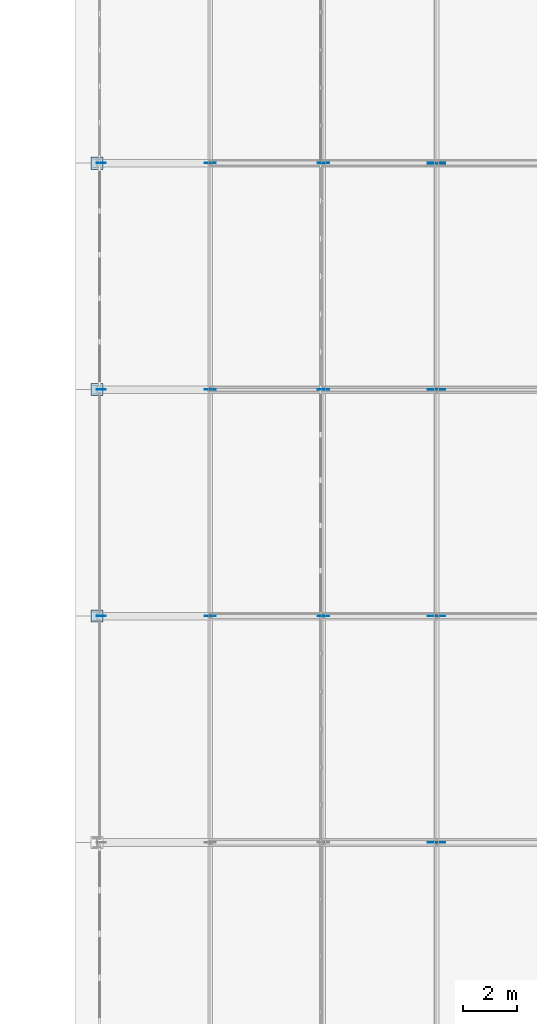
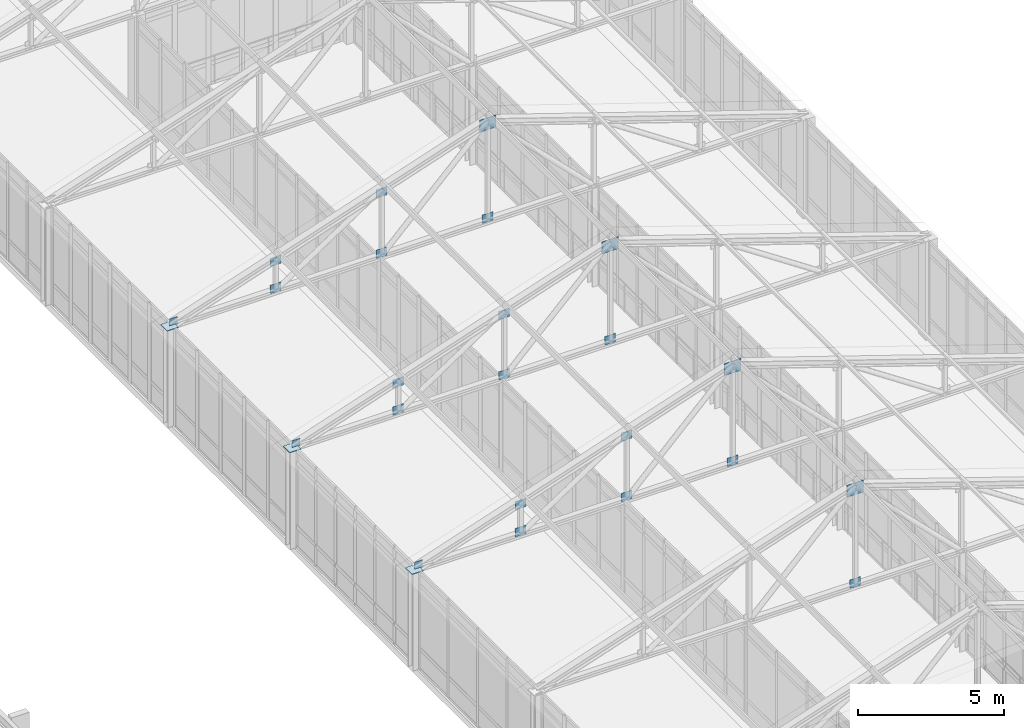
# One storey, part 143 of 192: 26 plates.
"""IFC4 building model written with IfcOpenShell, lengths in metres."""

from ifc_helpers import new_model, si_unit, direction, frame, origin, origin_2d, place, context, subcontext, project, spatial, rectangle, extrude, material, layer, layer_set, type_object, element, save


model = new_model("IFC4")

# Units and contexts
model_context = context("Model", 3, precision=1e-05, world=origin(), true_north=direction((0.0, 1.0)))
body_context = subcontext(model_context, "Body", "Model", "MODEL_VIEW")
ifc_project = project(units=[si_unit("LENGTHUNIT", "METRE"), si_unit("AREAUNIT", "SQUARE_METRE"), si_unit("VOLUMEUNIT", "CUBIC_METRE"), si_unit("PLANEANGLEUNIT", "RADIAN"), si_unit("MASSUNIT", "GRAM", prefix="KILO")], contexts=[model_context])

# Site, building, storey
site_placement = place(None, origin())
site = spatial("IfcSite", under=ifc_project, at=site_placement, CompositionType="ELEMENT")
building_placement = place(site_placement, origin())
building = spatial("IfcBuilding", under=site, at=building_placement, Name="Kveldsbrygga Polytechnic", CompositionType="ELEMENT")
storey_placement = place(building_placement, frame((0.0, 0.0, 5.43994140625)))
storey = spatial("IfcBuildingStorey", under=building, at=storey_placement, Name="L01", CompositionType="ELEMENT", Elevation=5.43994140625)

# Plates
ifc_material = material(Name="Steel S355", Category="steel")
ifc_layer_1 = layer(ifc_material, 0.030029296875)
ifc_layer_set_1 = layer_set([ifc_layer_1], Name="Steel S355")
plate_type_1 = type_object("IfcPlateType", Name="CAP-BEAR-450", PredefinedType="SHEET", material=ifc_layer_set_1)
for number, where, z_axis, x_axis, name in (
    (1, (50.39990234375, 42.0, 4.08984375), (0.0, 0.0, 1.0), (1.0, 0.0, 0.0), "Truss Bearing Plate V5C-T05-A"),
    (2, (50.39990234375, 50.39990234375, 4.08984375), (0.0, 0.0, 1.0), (1.0, 0.0, 0.0), "Truss Bearing Plate V5C-T06-A"),
    (3, (50.39990234375, 58.800048828125, 4.08984375), (0.0, 0.0, 1.0), (1.0, 0.0, 0.0), "Truss Bearing Plate V5C-T07-A"),
):
    element("IfcPlate", number, at=place(storey_placement, frame(where, z_axis=z_axis, x_axis=x_axis)), inside=storey, type_object=plate_type_1, Name=name, PredefinedType="SHEET", context=body_context, shape_type="SweptSolid", body=[
        extrude(rectangle(XDim=0.449951171875, YDim=0.449951171875, at=origin_2d()), origin(), (0.0, 0.0, 1.0), 0.030029296875),
    ])
ifc_layer_2 = layer(ifc_material, 0.02490234375)
ifc_layer_set_2 = layer_set([ifc_layer_2], Name="Steel S355")
plate_type_2 = type_object("IfcPlateType", Name="GUS-APEX-650", PredefinedType="SHEET", material=ifc_layer_set_2)
for number, where, z_axis, x_axis, name in (
    (4, (63.0, 33.60009765625, 7.920166015625), (0.0, 0.0, 1.0), (1.0, 0.0, 0.0), "Truss Gusset Plate V5C-T04-GP-3"),
    (5, (63.0, 42.0, 7.920166015625), (0.0, 0.0, 1.0), (1.0, 0.0, 0.0), "Truss Gusset Plate V5C-T05-GP-3"),
    (6, (63.0, 50.39990234375, 7.920166015625), (0.0, 0.0, 1.0), (1.0, 0.0, 0.0), "Truss Gusset Plate V5C-T06-GP-3"),
    (7, (63.0, 58.800048828125, 7.920166015625), (0.0, 0.0, 1.0), (1.0, 0.0, 0.0), "Truss Gusset Plate V5C-T07-GP-3"),
):
    element("IfcPlate", number, at=place(storey_placement, frame(where, z_axis=z_axis, x_axis=x_axis)), inside=storey, type_object=plate_type_2, Name=name, PredefinedType="SHEET", context=body_context, shape_type="SweptSolid", body=[
        extrude(rectangle(XDim=0.64990234375, YDim=0.02490234375, at=origin_2d()), origin(), (0.0, 0.0, 1.0), 0.5),
    ])
ifc_layer_3 = layer(ifc_material, 0.01806640625)
ifc_layer_set_3 = layer_set([ifc_layer_3], Name="Steel S355")
plate_type_3 = type_object("IfcPlateType", Name="GUS-BRACE-320", PredefinedType="SHEET", material=ifc_layer_set_3)
for number, where, z_axis, x_axis, name in (
    (8, (50.56005859375, 42.0, 4.080078125), (0.0, 0.0, 1.0), (1.0, 0.0, 0.0), "Truss Eaves Node Gusset V5C-T05-EGP-A"),
    (9, (50.56005859375, 50.39990234375, 4.080078125), (0.0, 0.0, 1.0), (1.0, 0.0, 0.0), "Truss Eaves Node Gusset V5C-T06-EGP-A"),
    (10, (50.56005859375, 58.800048828125, 4.080078125), (0.0, 0.0, 1.0), (1.0, 0.0, 0.0), "Truss Eaves Node Gusset V5C-T07-EGP-A"),
):
    element("IfcPlate", number, at=place(storey_placement, frame(where, z_axis=z_axis, x_axis=x_axis)), inside=storey, type_object=plate_type_3, Name=name, PredefinedType="SHEET", context=body_context, shape_type="SweptSolid", body=[
        extrude(rectangle(XDim=0.320068359375, YDim=0.01806640625, at=origin_2d()), origin(), (0.0, 0.0, 1.0), 0.320068359375),
    ])
ifc_layer_4 = layer(ifc_material, 0.02001953125)
ifc_layer_set_4 = layer_set([ifc_layer_4], Name="Steel S355")
plate_type_4 = type_object("IfcPlateType", Name="GUS-LECT-420", PredefinedType="SHEET", material=ifc_layer_set_4)
for number, where, z_axis, x_axis, name in (
    (11, (63.0, 33.60009765625, 4.06494140625), (0.0, 0.0, 1.0), (1.0, 0.0, 0.0), "Truss Bottom-Chord Node Gusset V5C-T04-BGP-3"),
    (12, (54.60009765625, 42.0, 5.195068359375), (0.0, 0.0, 1.0), (1.0, 0.0, 0.0), "Truss Gusset Plate V5C-T05-GP-1"),
    (13, (54.60009765625, 42.0, 4.06494140625), (0.0, 0.0, 1.0), (1.0, 0.0, 0.0), "Truss Bottom-Chord Node Gusset V5C-T05-BGP-1"),
    (14, (58.800048828125, 42.0, 6.594970703125), (0.0, 0.0, 1.0), (1.0, 0.0, 0.0), "Truss Gusset Plate V5C-T05-GP-2"),
    (15, (58.800048828125, 42.0, 4.06494140625), (0.0, 0.0, 1.0), (1.0, 0.0, 0.0), "Truss Bottom-Chord Node Gusset V5C-T05-BGP-2"),
    (16, (63.0, 42.0, 4.06494140625), (0.0, 0.0, 1.0), (1.0, 0.0, 0.0), "Truss Bottom-Chord Node Gusset V5C-T05-BGP-3"),
    (17, (54.60009765625, 50.39990234375, 5.195068359375), (0.0, 0.0, 1.0), (1.0, 0.0, 0.0), "Truss Gusset Plate V5C-T06-GP-1"),
    (18, (54.60009765625, 50.39990234375, 4.06494140625), (0.0, 0.0, 1.0), (1.0, 0.0, 0.0), "Truss Bottom-Chord Node Gusset V5C-T06-BGP-1"),
    (19, (58.800048828125, 50.39990234375, 6.594970703125), (0.0, 0.0, 1.0), (1.0, 0.0, 0.0), "Truss Gusset Plate V5C-T06-GP-2"),
    (20, (58.800048828125, 50.39990234375, 4.06494140625), (0.0, 0.0, 1.0), (1.0, 0.0, 0.0), "Truss Bottom-Chord Node Gusset V5C-T06-BGP-2"),
    (21, (63.0, 50.39990234375, 4.06494140625), (0.0, 0.0, 1.0), (1.0, 0.0, 0.0), "Truss Bottom-Chord Node Gusset V5C-T06-BGP-3"),
    (22, (54.60009765625, 58.800048828125, 5.195068359375), (0.0, 0.0, 1.0), (1.0, 0.0, 0.0), "Truss Gusset Plate V5C-T07-GP-1"),
    (23, (54.60009765625, 58.800048828125, 4.06494140625), (0.0, 0.0, 1.0), (1.0, 0.0, 0.0), "Truss Bottom-Chord Node Gusset V5C-T07-BGP-1"),
    (24, (58.800048828125, 58.800048828125, 6.594970703125), (0.0, 0.0, 1.0), (1.0, 0.0, 0.0), "Truss Gusset Plate V5C-T07-GP-2"),
    (25, (58.800048828125, 58.800048828125, 4.06494140625), (0.0, 0.0, 1.0), (1.0, 0.0, 0.0), "Truss Bottom-Chord Node Gusset V5C-T07-BGP-2"),
    (26, (63.0, 58.800048828125, 4.06494140625), (0.0, 0.0, 1.0), (1.0, 0.0, 0.0), "Truss Bottom-Chord Node Gusset V5C-T07-BGP-3"),
):
    element("IfcPlate", number, at=place(storey_placement, frame(where, z_axis=z_axis, x_axis=x_axis)), inside=storey, type_object=plate_type_4, Name=name, PredefinedType="SHEET", context=body_context, shape_type="SweptSolid", body=[
        extrude(rectangle(XDim=0.419921875, YDim=0.02001953125, at=origin_2d()), origin(), (0.0, 0.0, 1.0), 0.35009765625),
    ])

save(model, "model.ifc")
